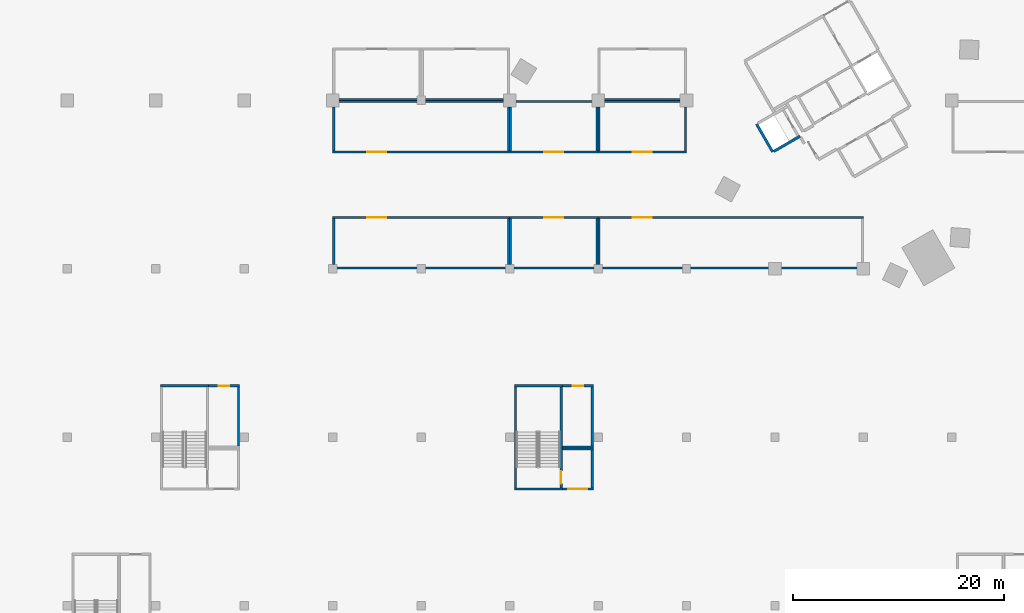
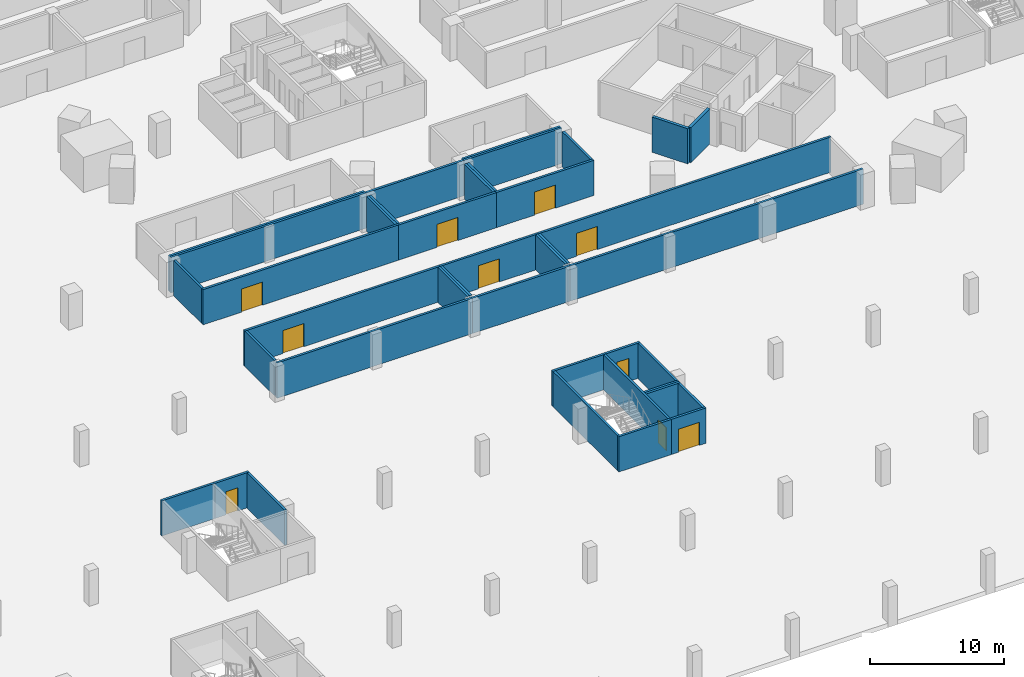
# One storey, part 6 of 37: 41 walls, 10 doors, 10 openings.
"""IFC4 building model written with IfcOpenShell, lengths in metres."""

from ifc_helpers import new_model, si_unit, direction, frame, frame_2d, origin, place, context, subcontext, project, spatial, rectangle, extrude, material, layer, layer_set, type_object, element, fill, save


model = new_model("IFC4")

# Units and contexts
model_context = context("Model", 3, precision=1e-05, world=origin(), true_north=direction((0.0, 1.0)))
body_context = subcontext(model_context, "Body", "Model", "MODEL_VIEW")
ifc_project = project(units=[si_unit("LENGTHUNIT", "METRE"), si_unit("AREAUNIT", "SQUARE_METRE"), si_unit("VOLUMEUNIT", "CUBIC_METRE"), si_unit("PLANEANGLEUNIT", "RADIAN"), si_unit("MASSUNIT", "GRAM", prefix="KILO")], contexts=[model_context])

# Site, building, storey
site_placement = place(None, origin())
site = spatial("IfcSite", under=ifc_project, at=site_placement, CompositionType="ELEMENT")
building_placement = place(site_placement, origin())
building = spatial("IfcBuilding", under=site, at=building_placement, Name="Tamra Quay Hotel Tower", CompositionType="ELEMENT")
storey_placement = place(building_placement, frame((0.0, 0.0, -7.199951171875)))
storey = spatial("IfcBuildingStorey", under=building, at=storey_placement, Name="B2", CompositionType="ELEMENT", Elevation=-7.199951171875)

# Wall
ifc_material_1 = material(Name="Blockwork", Category="masonry")
ifc_layer_1 = layer(ifc_material_1, 0.199951171875)
ifc_layer_set_1 = layer_set([ifc_layer_1], Name="Car park room wall 200")
wall_type_1 = type_object("IfcWallType", Name="Car park room wall 200", PredefinedType="PARTITIONING", material=ifc_layer_set_1)
wall_1_placement = place(storey_placement, frame((-38.699951171875, -31.89990234375, 0.0), z_axis=(0.0, 0.0, 1.0), x_axis=(1.0, 0.0, 0.0)))
element("IfcWall", 1, at=wall_1_placement, inside=storey, type_object=wall_type_1, Name="PW", PredefinedType="PARTITIONING", context=body_context, shape_type="SweptSolid", body=[
    extrude(rectangle(XDim=16.800048828125, YDim=0.199951171875, at=frame_2d((8.39990234375, 0.0))), origin(), (0.0, 0.0, 1.0), 3.199951171875),
])

# Wall, opening, door
wall_2_placement = place(storey_placement, frame((-38.699951171875, -27.10009765625, 0.0), z_axis=(0.0, 0.0, 1.0), x_axis=(1.0, 0.0, 0.0)))
wall_2 = element("IfcWall", 2, at=wall_2_placement, inside=storey, type_object=wall_type_1, Name="PW", PredefinedType="PARTITIONING", context=body_context, shape_type="SweptSolid", body=[
    extrude(rectangle(XDim=16.800048828125, YDim=0.199951171875, at=frame_2d((8.39990234375, 0.0))), origin(), (0.0, 0.0, 1.0), 3.199951171875),
])
opening_1_placement = place(wall_2_placement, frame((3.300048828125, 0.0, 0.0)))
opening_1 = element("IfcOpeningElement", 3, at=opening_1_placement, cuts=wall_2, Name="Opening PD2", PredefinedType="OPENING", context=body_context, shape_type="SweptSolid", body=[
    extrude(rectangle(XDim=1.800048828125, YDim=2.10009765625, at=frame_2d((0.89990234375, 1.050048828125))), frame((0.0, 0.10986328125, 0.0), z_axis=(0.0, -1.0, 0.0), x_axis=(1.0, 0.0, 0.0)), (0.0, 0.0, 1.0), 0.219970703125),
])
ifc_material_2 = material(Name="Plant door 1800 x 2100")
door_type_1 = type_object("IfcDoorType", Name="Plant door 1800 x 2100", OperationType="DOUBLE_DOOR_SINGLE_SWING", PredefinedType="DOOR", material=ifc_material_2)
door_1_placement = place(opening_1_placement, origin())
door_1 = element("IfcDoor", 4, at=door_1_placement, inside=storey, type_object=door_type_1, Name="PD2", OperationType="DOUBLE_DOOR_SINGLE_SWING", OverallHeight=2.10009765625, OverallWidth=1.800048828125, PredefinedType="DOOR", context=body_context, shape_type="SweptSolid", body=[
    extrude(rectangle(XDim=1.800048828125, YDim=2.10009765625, at=frame_2d((0.89990234375, 1.050048828125))), frame((0.0, 0.02490234375, 0.0), z_axis=(0.0, -1.0, 0.0), x_axis=(1.0, 0.0, 0.0)), (0.0, 0.0, 1.0), 0.050048828125),
])
fill(opening_1, door_1)

# Walls
for number, where, z_axis, x_axis, name in (
    (5, (-38.60009765625, -31.60009765625, 0.0), (0.0, 0.0, 1.0), (0.0, 1.0, 0.0), "PW"),
    (6, (-22.0, -31.60009765625, 0.0), (0.0, 0.0, 1.0), (0.0, 1.0, 0.0), "PW"),
):
    element("IfcWall", number, at=place(storey_placement, frame(where, z_axis=z_axis, x_axis=x_axis)), inside=storey, type_object=wall_type_1, Name=name, PredefinedType="PARTITIONING", context=body_context, shape_type="SweptSolid", body=[
        extrude(rectangle(XDim=4.400146484375, YDim=0.199951171875, at=frame_2d((2.2001953125, 0.0))), origin(), (0.0, 0.0, 1.0), 3.199951171875),
    ])
wall_3_placement = place(storey_placement, frame((-21.89990234375, -31.89990234375, 0.0), z_axis=(0.0, 0.0, 1.0), x_axis=(1.0, 0.0, 0.0)))
element("IfcWall", 7, at=wall_3_placement, inside=storey, type_object=wall_type_1, Name="PW", PredefinedType="PARTITIONING", context=body_context, shape_type="SweptSolid", body=[
    extrude(rectangle(XDim=8.39990234375, YDim=0.199951171875, at=frame_2d((4.199951171875, 0.0))), origin(), (0.0, 0.0, 1.0), 3.199951171875),
])

# Wall, opening, door
wall_4_placement = place(storey_placement, frame((-21.89990234375, -27.10009765625, 0.0), z_axis=(0.0, 0.0, 1.0), x_axis=(1.0, 0.0, 0.0)))
wall_4 = element("IfcWall", 8, at=wall_4_placement, inside=storey, type_object=wall_type_1, Name="PW", PredefinedType="PARTITIONING", context=body_context, shape_type="SweptSolid", body=[
    extrude(rectangle(XDim=8.39990234375, YDim=0.199951171875, at=frame_2d((4.199951171875, 0.0))), origin(), (0.0, 0.0, 1.0), 3.199951171875),
])
opening_2_placement = place(wall_4_placement, frame((3.300048828125, 0.0, 0.0)))
opening_2 = element("IfcOpeningElement", 9, at=opening_2_placement, cuts=wall_4, Name="Opening PD2", PredefinedType="OPENING", context=body_context, shape_type="SweptSolid", body=[
    extrude(rectangle(XDim=1.800048828125, YDim=2.10009765625, at=frame_2d((0.89990234375, 1.050048828125))), frame((0.0, 0.10986328125, 0.0), z_axis=(0.0, -1.0, 0.0), x_axis=(1.0, 0.0, 0.0)), (0.0, 0.0, 1.0), 0.219970703125),
])
door_2_placement = place(opening_2_placement, origin())
door_2 = element("IfcDoor", 10, at=door_2_placement, inside=storey, type_object=door_type_1, Name="PD2", OperationType="DOUBLE_DOOR_SINGLE_SWING", OverallHeight=2.10009765625, OverallWidth=1.800048828125, PredefinedType="DOOR", context=body_context, shape_type="SweptSolid", body=[
    extrude(rectangle(XDim=1.800048828125, YDim=2.10009765625, at=frame_2d((0.89990234375, 1.050048828125))), frame((0.0, 0.02490234375, 0.0), z_axis=(0.0, -1.0, 0.0), x_axis=(1.0, 0.0, 0.0)), (0.0, 0.0, 1.0), 0.050048828125),
])
fill(opening_2, door_2)

# Walls
for number, where, z_axis, x_axis, name in (
    (11, (-21.800048828125, -31.60009765625, 0.0), (0.0, 0.0, 1.0), (0.0, 1.0, 0.0), "PW"),
    (12, (-13.60009765625, -31.60009765625, 0.0), (0.0, 0.0, 1.0), (0.0, 1.0, 0.0), "PW"),
):
    element("IfcWall", number, at=place(storey_placement, frame(where, z_axis=z_axis, x_axis=x_axis)), inside=storey, type_object=wall_type_1, Name=name, PredefinedType="PARTITIONING", context=body_context, shape_type="SweptSolid", body=[
        extrude(rectangle(XDim=4.400146484375, YDim=0.199951171875, at=frame_2d((2.2001953125, 0.0))), origin(), (0.0, 0.0, 1.0), 3.199951171875),
    ])
wall_5_placement = place(storey_placement, frame((-13.5, -31.89990234375, 0.0), z_axis=(0.0, 0.0, 1.0), x_axis=(1.0, 0.0, 0.0)))
element("IfcWall", 13, at=wall_5_placement, inside=storey, type_object=wall_type_1, Name="PW", PredefinedType="PARTITIONING", context=body_context, shape_type="SweptSolid", body=[
    extrude(rectangle(XDim=25.199951171875, YDim=0.199951171875, at=frame_2d((12.60009765625, 0.0))), origin(), (0.0, 0.0, 1.0), 3.199951171875),
])

# Wall, opening, door
wall_6_placement = place(storey_placement, frame((-13.5, -27.10009765625, 0.0), z_axis=(0.0, 0.0, 1.0), x_axis=(1.0, 0.0, 0.0)))
wall_6 = element("IfcWall", 14, at=wall_6_placement, inside=storey, type_object=wall_type_1, Name="PW", PredefinedType="PARTITIONING", context=body_context, shape_type="SweptSolid", body=[
    extrude(rectangle(XDim=25.199951171875, YDim=0.199951171875, at=frame_2d((12.60009765625, 0.0))), origin(), (0.0, 0.0, 1.0), 3.199951171875),
])
opening_3_placement = place(wall_6_placement, frame((3.300048828125, 0.0, 0.0)))
opening_3 = element("IfcOpeningElement", 15, at=opening_3_placement, cuts=wall_6, Name="Opening PD2", PredefinedType="OPENING", context=body_context, shape_type="SweptSolid", body=[
    extrude(rectangle(XDim=1.800048828125, YDim=2.10009765625, at=frame_2d((0.89990234375, 1.050048828125))), frame((0.0, 0.10986328125, 0.0), z_axis=(0.0, -1.0, 0.0), x_axis=(1.0, 0.0, 0.0)), (0.0, 0.0, 1.0), 0.219970703125),
])
door_3_placement = place(opening_3_placement, origin())
door_3 = element("IfcDoor", 16, at=door_3_placement, inside=storey, type_object=door_type_1, Name="PD2", OperationType="DOUBLE_DOOR_SINGLE_SWING", OverallHeight=2.10009765625, OverallWidth=1.800048828125, PredefinedType="DOOR", context=body_context, shape_type="SweptSolid", body=[
    extrude(rectangle(XDim=1.800048828125, YDim=2.10009765625, at=frame_2d((0.89990234375, 1.050048828125))), frame((0.0, 0.02490234375, 0.0), z_axis=(0.0, -1.0, 0.0), x_axis=(1.0, 0.0, 0.0)), (0.0, 0.0, 1.0), 0.050048828125),
])
fill(opening_3, door_3)

# Wall
wall_7_placement = place(storey_placement, frame((-13.39990234375, -31.60009765625, 0.0), z_axis=(0.0, 0.0, 1.0), x_axis=(0.0, 1.0, 0.0)))
element("IfcWall", 17, at=wall_7_placement, inside=storey, type_object=wall_type_1, Name="PW", PredefinedType="PARTITIONING", context=body_context, shape_type="SweptSolid", body=[
    extrude(rectangle(XDim=4.400146484375, YDim=0.199951171875, at=frame_2d((2.2001953125, 0.0))), origin(), (0.0, 0.0, 1.0), 3.199951171875),
])

# Wall, opening, door
wall_8_placement = place(storey_placement, frame((-38.699951171875, -20.89990234375, 0.0), z_axis=(0.0, 0.0, 1.0), x_axis=(1.0, 0.0, 0.0)))
wall_8 = element("IfcWall", 18, at=wall_8_placement, inside=storey, type_object=wall_type_1, Name="PW", PredefinedType="PARTITIONING", context=body_context, shape_type="SweptSolid", body=[
    extrude(rectangle(XDim=16.800048828125, YDim=0.199951171875, at=frame_2d((8.39990234375, 0.0))), origin(), (0.0, 0.0, 1.0), 3.199951171875),
])
opening_4_placement = place(wall_8_placement, frame((3.300048828125, 0.0, 0.0)))
opening_4 = element("IfcOpeningElement", 19, at=opening_4_placement, cuts=wall_8, Name="Opening PD2", PredefinedType="OPENING", context=body_context, shape_type="SweptSolid", body=[
    extrude(rectangle(XDim=1.800048828125, YDim=2.10009765625, at=frame_2d((0.89990234375, 1.050048828125))), frame((0.0, 0.10986328125, 0.0), z_axis=(0.0, -1.0, 0.0), x_axis=(1.0, 0.0, 0.0)), (0.0, 0.0, 1.0), 0.219970703125),
])
door_4_placement = place(opening_4_placement, origin())
door_4 = element("IfcDoor", 20, at=door_4_placement, inside=storey, type_object=door_type_1, Name="PD2", OperationType="DOUBLE_DOOR_SINGLE_SWING", OverallHeight=2.10009765625, OverallWidth=1.800048828125, PredefinedType="DOOR", context=body_context, shape_type="SweptSolid", body=[
    extrude(rectangle(XDim=1.800048828125, YDim=2.10009765625, at=frame_2d((0.89990234375, 1.050048828125))), frame((0.0, 0.02490234375, 0.0), z_axis=(0.0, -1.0, 0.0), x_axis=(1.0, 0.0, 0.0)), (0.0, 0.0, 1.0), 0.050048828125),
])
fill(opening_4, door_4)

# Walls
wall_9_placement = place(storey_placement, frame((-38.699951171875, -16.10009765625, 0.0), z_axis=(0.0, 0.0, 1.0), x_axis=(1.0, 0.0, 0.0)))
element("IfcWall", 21, at=wall_9_placement, inside=storey, type_object=wall_type_1, Name="PW", PredefinedType="PARTITIONING", context=body_context, shape_type="SweptSolid", body=[
    extrude(rectangle(XDim=16.800048828125, YDim=0.199951171875, at=frame_2d((8.39990234375, 0.0))), origin(), (0.0, 0.0, 1.0), 3.199951171875),
])
for number, where, z_axis, x_axis, name in (
    (22, (-38.60009765625, -20.800048828125, 0.0), (0.0, 0.0, 1.0), (0.0, 1.0, 0.0), "PW"),
    (23, (-22.0, -20.800048828125, 0.0), (0.0, 0.0, 1.0), (0.0, 1.0, 0.0), "PW"),
):
    element("IfcWall", number, at=place(storey_placement, frame(where, z_axis=z_axis, x_axis=x_axis)), inside=storey, type_object=wall_type_1, Name=name, PredefinedType="PARTITIONING", context=body_context, shape_type="SweptSolid", body=[
        extrude(rectangle(XDim=4.199951171875, YDim=0.199951171875, at=frame_2d((2.10009765625, 0.0))), origin(), (0.0, 0.0, 1.0), 3.199951171875),
    ])

# Wall, opening, door
wall_10_placement = place(storey_placement, frame((-21.89990234375, -20.89990234375, 0.0), z_axis=(0.0, 0.0, 1.0), x_axis=(1.0, 0.0, 0.0)))
wall_10 = element("IfcWall", 24, at=wall_10_placement, inside=storey, type_object=wall_type_1, Name="PW", PredefinedType="PARTITIONING", context=body_context, shape_type="SweptSolid", body=[
    extrude(rectangle(XDim=8.39990234375, YDim=0.199951171875, at=frame_2d((4.199951171875, 0.0))), origin(), (0.0, 0.0, 1.0), 3.199951171875),
])
opening_5_placement = place(wall_10_placement, frame((3.300048828125, 0.0, 0.0)))
opening_5 = element("IfcOpeningElement", 25, at=opening_5_placement, cuts=wall_10, Name="Opening PD2", PredefinedType="OPENING", context=body_context, shape_type="SweptSolid", body=[
    extrude(rectangle(XDim=1.800048828125, YDim=2.10009765625, at=frame_2d((0.89990234375, 1.050048828125))), frame((0.0, 0.10986328125, 0.0), z_axis=(0.0, -1.0, 0.0), x_axis=(1.0, 0.0, 0.0)), (0.0, 0.0, 1.0), 0.219970703125),
])
door_5_placement = place(opening_5_placement, origin())
door_5 = element("IfcDoor", 26, at=door_5_placement, inside=storey, type_object=door_type_1, Name="PD2", OperationType="DOUBLE_DOOR_SINGLE_SWING", OverallHeight=2.10009765625, OverallWidth=1.800048828125, PredefinedType="DOOR", context=body_context, shape_type="SweptSolid", body=[
    extrude(rectangle(XDim=1.800048828125, YDim=2.10009765625, at=frame_2d((0.89990234375, 1.050048828125))), frame((0.0, 0.02490234375, 0.0), z_axis=(0.0, -1.0, 0.0), x_axis=(1.0, 0.0, 0.0)), (0.0, 0.0, 1.0), 0.050048828125),
])
fill(opening_5, door_5)

# Walls
wall_11_placement = place(storey_placement, frame((-21.89990234375, -16.10009765625, 0.0), z_axis=(0.0, 0.0, 1.0), x_axis=(1.0, 0.0, 0.0)))
element("IfcWall", 27, at=wall_11_placement, inside=storey, type_object=wall_type_1, Name="PW", PredefinedType="PARTITIONING", context=body_context, shape_type="SweptSolid", body=[
    extrude(rectangle(XDim=8.39990234375, YDim=0.199951171875, at=frame_2d((4.199951171875, 0.0))), origin(), (0.0, 0.0, 1.0), 3.199951171875),
])
for number, where, z_axis, x_axis, name in (
    (28, (-21.800048828125, -20.800048828125, 0.0), (0.0, 0.0, 1.0), (0.0, 1.0, 0.0), "PW"),
    (29, (-13.60009765625, -20.800048828125, 0.0), (0.0, 0.0, 1.0), (0.0, 1.0, 0.0), "PW"),
):
    element("IfcWall", number, at=place(storey_placement, frame(where, z_axis=z_axis, x_axis=x_axis)), inside=storey, type_object=wall_type_1, Name=name, PredefinedType="PARTITIONING", context=body_context, shape_type="SweptSolid", body=[
        extrude(rectangle(XDim=4.199951171875, YDim=0.199951171875, at=frame_2d((2.10009765625, 0.0))), origin(), (0.0, 0.0, 1.0), 3.199951171875),
    ])

# Wall, opening, door
wall_12_placement = place(storey_placement, frame((-13.5, -20.89990234375, 0.0), z_axis=(0.0, 0.0, 1.0), x_axis=(1.0, 0.0, 0.0)))
wall_12 = element("IfcWall", 30, at=wall_12_placement, inside=storey, type_object=wall_type_1, Name="PW", PredefinedType="PARTITIONING", context=body_context, shape_type="SweptSolid", body=[
    extrude(rectangle(XDim=8.39990234375, YDim=0.199951171875, at=frame_2d((4.199951171875, 0.0))), origin(), (0.0, 0.0, 1.0), 3.199951171875),
])
opening_6_placement = place(wall_12_placement, frame((3.300048828125, 0.0, 0.0)))
opening_6 = element("IfcOpeningElement", 31, at=opening_6_placement, cuts=wall_12, Name="Opening PD2", PredefinedType="OPENING", context=body_context, shape_type="SweptSolid", body=[
    extrude(rectangle(XDim=1.800048828125, YDim=2.10009765625, at=frame_2d((0.89990234375, 1.050048828125))), frame((0.0, 0.10986328125, 0.0), z_axis=(0.0, -1.0, 0.0), x_axis=(1.0, 0.0, 0.0)), (0.0, 0.0, 1.0), 0.219970703125),
])
door_6_placement = place(opening_6_placement, origin())
door_6 = element("IfcDoor", 32, at=door_6_placement, inside=storey, type_object=door_type_1, Name="PD2", OperationType="DOUBLE_DOOR_SINGLE_SWING", OverallHeight=2.10009765625, OverallWidth=1.800048828125, PredefinedType="DOOR", context=body_context, shape_type="SweptSolid", body=[
    extrude(rectangle(XDim=1.800048828125, YDim=2.10009765625, at=frame_2d((0.89990234375, 1.050048828125))), frame((0.0, 0.02490234375, 0.0), z_axis=(0.0, -1.0, 0.0), x_axis=(1.0, 0.0, 0.0)), (0.0, 0.0, 1.0), 0.050048828125),
])
fill(opening_6, door_6)

# Walls
wall_13_placement = place(storey_placement, frame((-13.5, -16.10009765625, 0.0), z_axis=(0.0, 0.0, 1.0), x_axis=(1.0, 0.0, 0.0)))
element("IfcWall", 33, at=wall_13_placement, inside=storey, type_object=wall_type_1, Name="PW", PredefinedType="PARTITIONING", context=body_context, shape_type="SweptSolid", body=[
    extrude(rectangle(XDim=8.39990234375, YDim=0.199951171875, at=frame_2d((4.199951171875, 0.0))), origin(), (0.0, 0.0, 1.0), 3.199951171875),
])
for number, where, z_axis, x_axis, name in (
    (34, (-13.39990234375, -20.800048828125, 0.0), (0.0, 0.0, 1.0), (0.0, 1.0, 0.0), "PW"),
    (35, (-5.199951171875, -20.800048828125, 0.0), (0.0, 0.0, 1.0), (0.0, 1.0, 0.0), "PW"),
):
    element("IfcWall", number, at=place(storey_placement, frame(where, z_axis=z_axis, x_axis=x_axis)), inside=storey, type_object=wall_type_1, Name=name, PredefinedType="PARTITIONING", context=body_context, shape_type="SweptSolid", body=[
        extrude(rectangle(XDim=4.199951171875, YDim=0.199951171875, at=frame_2d((2.10009765625, 0.0))), origin(), (0.0, 0.0, 1.0), 3.199951171875),
    ])
wall_14_placement = place(storey_placement, frame((-38.699951171875, -15.89990234375, 0.0), z_axis=(0.0, 0.0, 1.0), x_axis=(1.0, 0.0, 0.0)))
element("IfcWall", 36, at=wall_14_placement, inside=storey, type_object=wall_type_1, Name="PW", PredefinedType="PARTITIONING", context=body_context, shape_type="SweptSolid", body=[
    extrude(rectangle(XDim=8.39990234375, YDim=0.199951171875, at=frame_2d((4.199951171875, 0.0))), origin(), (0.0, 0.0, 1.0), 3.199951171875),
])
wall_15_placement = place(storey_placement, frame((-30.300048828125, -15.89990234375, 0.0), z_axis=(0.0, 0.0, 1.0), x_axis=(1.0, 0.0, 0.0)))
element("IfcWall", 37, at=wall_15_placement, inside=storey, type_object=wall_type_1, Name="PW", PredefinedType="PARTITIONING", context=body_context, shape_type="SweptSolid", body=[
    extrude(rectangle(XDim=8.400146484375, YDim=0.199951171875, at=frame_2d((4.2001953125, 0.0))), origin(), (0.0, 0.0, 1.0), 3.199951171875),
])
wall_16_placement = place(storey_placement, frame((-13.5, -15.89990234375, 0.0), z_axis=(0.0, 0.0, 1.0), x_axis=(1.0, 0.0, 0.0)))
element("IfcWall", 38, at=wall_16_placement, inside=storey, type_object=wall_type_1, Name="PW", PredefinedType="PARTITIONING", context=body_context, shape_type="SweptSolid", body=[
    extrude(rectangle(XDim=8.39990234375, YDim=0.199951171875, at=frame_2d((4.199951171875, 0.0))), origin(), (0.0, 0.0, 1.0), 3.199951171875),
])

# Wall, opening, door
wall_17_placement = place(storey_placement, frame((-50.5, -43.10009765625, 0.0), z_axis=(0.0, 0.0, 1.0), x_axis=(1.0, 0.0, 0.0)))
wall_17 = element("IfcWall", 39, at=wall_17_placement, inside=storey, type_object=wall_type_1, Name="PW", PredefinedType="PARTITIONING", context=body_context, shape_type="SweptSolid", body=[
    extrude(rectangle(XDim=2.949951171875, YDim=0.199951171875, at=frame_2d((1.47509765625, 0.0))), origin(), (0.0, 0.0, 1.0), 3.199951171875),
])
opening_7_placement = place(wall_17_placement, frame((0.97509765625, 0.0, 0.0)))
opening_7 = element("IfcOpeningElement", 40, at=opening_7_placement, cuts=wall_17, Name="Opening PD1", PredefinedType="OPENING", context=body_context, shape_type="SweptSolid", body=[
    extrude(rectangle(XDim=1.0, YDim=2.10009765625, at=frame_2d((0.5, 1.050048828125))), frame((0.0, 0.10986328125, 0.0), z_axis=(0.0, -1.0, 0.0), x_axis=(1.0, 0.0, 0.0)), (0.0, 0.0, 1.0), 0.219970703125),
])
ifc_material_3 = material(Name="Car park door 1000 x 2100")
door_type_2 = type_object("IfcDoorType", Name="Car park door 1000 x 2100", OperationType="NOTDEFINED", PredefinedType="DOOR", material=ifc_material_3)
door_7_placement = place(opening_7_placement, origin())
door_7 = element("IfcDoor", 41, at=door_7_placement, inside=storey, type_object=door_type_2, Name="PD1", OperationType="SINGLE_SWING_LEFT", OverallHeight=2.10009765625, OverallWidth=1.0, PredefinedType="DOOR", context=body_context, shape_type="SweptSolid", body=[
    extrude(rectangle(XDim=1.0, YDim=2.10009765625, at=frame_2d((0.5, 1.050048828125))), frame((0.0, 0.02490234375, 0.0), z_axis=(0.0, -1.0, 0.0), x_axis=(1.0, 0.0, 0.0)), (0.0, 0.0, 1.0), 0.050048828125),
])
fill(opening_7, door_7)

# Wall
wall_18_placement = place(storey_placement, frame((-47.64990234375, -48.800048828125, 0.0), z_axis=(0.0, 0.0, 1.0), x_axis=(0.0, 1.0, 0.0)))
element("IfcWall", 42, at=wall_18_placement, inside=storey, type_object=wall_type_1, Name="PW", PredefinedType="PARTITIONING", context=body_context, shape_type="SweptSolid", body=[
    extrude(rectangle(XDim=5.60009765625, YDim=0.199951171875, at=frame_2d((2.800048828125, 0.0))), origin(), (0.0, 0.0, 1.0), 3.199951171875),
])

# Wall, opening, door
wall_19_placement = place(storey_placement, frame((-16.89990234375, -52.89990234375, 0.0), z_axis=(0.0, 0.0, 1.0), x_axis=(1.0, 0.0, 0.0)))
wall_19 = element("IfcWall", 43, at=wall_19_placement, inside=storey, type_object=wall_type_1, Name="PW", PredefinedType="PARTITIONING", context=body_context, shape_type="SweptSolid", body=[
    extrude(rectangle(XDim=2.949951171875, YDim=0.199951171875, at=frame_2d((1.47509765625, 0.0))), origin(), (0.0, 0.0, 1.0), 3.199951171875),
])
opening_8_placement = place(wall_19_placement, frame((0.574951171875, 0.0, 0.0)))
opening_8 = element("IfcOpeningElement", 44, at=opening_8_placement, cuts=wall_19, Name="Opening PD2", PredefinedType="OPENING", context=body_context, shape_type="SweptSolid", body=[
    extrude(rectangle(XDim=1.800048828125, YDim=2.10009765625, at=frame_2d((0.89990234375, 1.050048828125))), frame((0.0, 0.10986328125, 0.0), z_axis=(0.0, -1.0, 0.0), x_axis=(1.0, 0.0, 0.0)), (0.0, 0.0, 1.0), 0.219970703125),
])
door_8_placement = place(opening_8_placement, origin())
door_8 = element("IfcDoor", 45, at=door_8_placement, inside=storey, type_object=door_type_1, Name="PD2", OperationType="DOUBLE_DOOR_SINGLE_SWING", OverallHeight=2.10009765625, OverallWidth=1.800048828125, PredefinedType="DOOR", context=body_context, shape_type="SweptSolid", body=[
    extrude(rectangle(XDim=1.800048828125, YDim=2.10009765625, at=frame_2d((0.89990234375, 1.050048828125))), frame((0.0, 0.02490234375, 0.0), z_axis=(0.0, -1.0, 0.0), x_axis=(1.0, 0.0, 0.0)), (0.0, 0.0, 1.0), 0.050048828125),
])
fill(opening_8, door_8)

# Walls
wall_20_placement = place(storey_placement, frame((-16.89990234375, -49.10009765625, 0.0), z_axis=(0.0, 0.0, 1.0), x_axis=(1.0, 0.0, 0.0)))
element("IfcWall", 46, at=wall_20_placement, inside=storey, type_object=wall_type_1, Name="PW", PredefinedType="PARTITIONING", context=body_context, shape_type="SweptSolid", body=[
    extrude(rectangle(XDim=2.949951171875, YDim=0.199951171875, at=frame_2d((1.47509765625, 0.0))), origin(), (0.0, 0.0, 1.0), 3.199951171875),
])
wall_21_placement = place(storey_placement, frame((-14.050048828125, -52.800048828125, 0.0), z_axis=(0.0, 0.0, 1.0), x_axis=(0.0, 1.0, 0.0)))
element("IfcWall", 47, at=wall_21_placement, inside=storey, type_object=wall_type_1, Name="PW", PredefinedType="PARTITIONING", context=body_context, shape_type="SweptSolid", body=[
    extrude(rectangle(XDim=3.60009765625, YDim=0.199951171875, at=frame_2d((1.800048828125, 0.0))), origin(), (0.0, 0.0, 1.0), 3.199951171875),
])
wall_22_placement = place(storey_placement, frame((-16.89990234375, -48.89990234375, 0.0), z_axis=(0.0, 0.0, 1.0), x_axis=(1.0, 0.0, 0.0)))
element("IfcWall", 48, at=wall_22_placement, inside=storey, type_object=wall_type_1, Name="PW", PredefinedType="PARTITIONING", context=body_context, shape_type="SweptSolid", body=[
    extrude(rectangle(XDim=2.949951171875, YDim=0.199951171875, at=frame_2d((1.47509765625, 0.0))), origin(), (0.0, 0.0, 1.0), 3.199951171875),
])

# Wall, opening, door
wall_23_placement = place(storey_placement, frame((-16.89990234375, -43.10009765625, 0.0), z_axis=(0.0, 0.0, 1.0), x_axis=(1.0, 0.0, 0.0)))
wall_23 = element("IfcWall", 49, at=wall_23_placement, inside=storey, type_object=wall_type_1, Name="PW", PredefinedType="PARTITIONING", context=body_context, shape_type="SweptSolid", body=[
    extrude(rectangle(XDim=2.949951171875, YDim=0.199951171875, at=frame_2d((1.47509765625, 0.0))), origin(), (0.0, 0.0, 1.0), 3.199951171875),
])
opening_9_placement = place(wall_23_placement, frame((0.97509765625, 0.0, 0.0)))
opening_9 = element("IfcOpeningElement", 50, at=opening_9_placement, cuts=wall_23, Name="Opening PD1", PredefinedType="OPENING", context=body_context, shape_type="SweptSolid", body=[
    extrude(rectangle(XDim=1.0, YDim=2.10009765625, at=frame_2d((0.5, 1.050048828125))), frame((0.0, 0.10986328125, 0.0), z_axis=(0.0, -1.0, 0.0), x_axis=(1.0, 0.0, 0.0)), (0.0, 0.0, 1.0), 0.219970703125),
])
door_9_placement = place(opening_9_placement, origin())
door_9 = element("IfcDoor", 51, at=door_9_placement, inside=storey, type_object=door_type_2, Name="PD1", OperationType="SINGLE_SWING_LEFT", OverallHeight=2.10009765625, OverallWidth=1.0, PredefinedType="DOOR", context=body_context, shape_type="SweptSolid", body=[
    extrude(rectangle(XDim=1.0, YDim=2.10009765625, at=frame_2d((0.5, 1.050048828125))), frame((0.0, 0.02490234375, 0.0), z_axis=(0.0, -1.0, 0.0), x_axis=(1.0, 0.0, 0.0)), (0.0, 0.0, 1.0), 0.050048828125),
])
fill(opening_9, door_9)

# Walls
wall_24_placement = place(storey_placement, frame((-14.050048828125, -48.800048828125, 0.0), z_axis=(0.0, 0.0, 1.0), x_axis=(0.0, 1.0, 0.0)))
element("IfcWall", 52, at=wall_24_placement, inside=storey, type_object=wall_type_1, Name="PW", PredefinedType="PARTITIONING", context=body_context, shape_type="SweptSolid", body=[
    extrude(rectangle(XDim=5.60009765625, YDim=0.199951171875, at=frame_2d((2.800048828125, 0.0))), origin(), (0.0, 0.0, 1.0), 3.199951171875),
])
ifc_material_4 = material(Name="Concrete M70", Category="concrete")
ifc_layer_2 = layer(ifc_material_4, 0.25)
ifc_layer_set_2 = layer_set([ifc_layer_2], Name="Concrete M70 core wall 250")
wall_type_2 = type_object("IfcWallType", Name="Concrete M70 core wall 250", PredefinedType="SHEAR", material=ifc_layer_set_2)
wall_25_placement = place(storey_placement, frame((3.085205078125, -20.893798828125, 0.0), z_axis=(0.0, 0.0, 1.0), x_axis=(-0.499978833458, 0.866037623948, 0.0)))
element("IfcWall", 53, at=wall_25_placement, inside=storey, type_object=wall_type_2, Name="CW1", PredefinedType="SHEAR", context=body_context, shape_type="SweptSolid", body=[
    extrude(rectangle(XDim=3.050048828125, YDim=0.25, at=frame_2d((1.52490234375, 0.0))), origin(), (0.0, 0.0, 1.0), 3.199951171875),
])
wall_26_placement = place(storey_placement, frame((5.6748046875, -19.39892578125, 0.0), z_axis=(0.0, 0.0, 1.0), x_axis=(-0.866026637627, -0.499997862916, 0.0)))
element("IfcWall", 54, at=wall_26_placement, inside=storey, type_object=wall_type_2, Name="CW1", PredefinedType="SHEAR", context=body_context, shape_type="SweptSolid", body=[
    extrude(rectangle(XDim=2.86474609375, YDim=0.25, at=frame_2d((1.432373046875, 0.0))), origin(), (0.0, 0.0, 1.0), 3.199951171875),
])
ifc_layer_3 = layer(ifc_material_4, 0.199951171875)
ifc_layer_set_3 = layer_set([ifc_layer_3], Name="Concrete M70 stair enclosure wall 200")
wall_type_3 = type_object("IfcWallType", Name="Concrete M70 stair enclosure wall 200", PredefinedType="SOLIDWALL", material=ifc_layer_set_3)
wall_27_placement = place(storey_placement, frame((-55.050048828125, -43.10009765625, 0.0), z_axis=(0.0, 0.0, 1.0), x_axis=(1.0, 0.0, 0.0)))
element("IfcWall", 55, at=wall_27_placement, inside=storey, type_object=wall_type_3, Name="SEW", PredefinedType="SOLIDWALL", context=body_context, shape_type="SweptSolid", body=[
    extrude(rectangle(XDim=4.550048828125, YDim=0.199951171875, at=frame_2d((2.27490234375, 0.0))), origin(), (0.0, 0.0, 1.0), 3.199951171875),
])
wall_28_placement = place(storey_placement, frame((-21.35009765625, -52.800048828125, 0.0), z_axis=(0.0, 0.0, 1.0), x_axis=(0.0, 1.0, 0.0)))
element("IfcWall", 56, at=wall_28_placement, inside=storey, type_object=wall_type_3, Name="SEW", PredefinedType="SOLIDWALL", context=body_context, shape_type="SweptSolid", body=[
    extrude(rectangle(XDim=9.60009765625, YDim=0.199951171875, at=frame_2d((4.800048828125, 0.0))), origin(), (0.0, 0.0, 1.0), 3.199951171875),
])

# Wall, opening, door
wall_29_placement = place(storey_placement, frame((-17.0, -52.800048828125, 0.0), z_axis=(0.0, 0.0, 1.0), x_axis=(0.0, 1.0, 0.0)))
wall_29 = element("IfcWall", 57, at=wall_29_placement, inside=storey, type_object=wall_type_3, Name="SEW", PredefinedType="SOLIDWALL", context=body_context, shape_type="SweptSolid", body=[
    extrude(rectangle(XDim=9.60009765625, YDim=0.199951171875, at=frame_2d((4.800048828125, 0.0))), origin(), (0.0, 0.0, 1.0), 3.199951171875),
])
opening_10_placement = place(wall_29_placement, frame((0.39990234375, 0.0, 0.0)))
opening_10 = element("IfcOpeningElement", 58, at=opening_10_placement, cuts=wall_29, Name="Opening SD1", PredefinedType="OPENING", context=body_context, shape_type="SweptSolid", body=[
    extrude(rectangle(XDim=1.199951171875, YDim=2.10009765625, at=frame_2d((0.60009765625, 1.050048828125))), frame((0.0, 0.10986328125, 0.0), z_axis=(0.0, -1.0, 0.0), x_axis=(1.0, 0.0, 0.0)), (0.0, 0.0, 1.0), 0.219970703125),
])
ifc_material_5 = material(Name="Stair door 1200 x 2100")
door_type_3 = type_object("IfcDoorType", Name="Stair door 1200 x 2100", OperationType="NOTDEFINED", PredefinedType="DOOR", material=ifc_material_5)
door_10_placement = place(opening_10_placement, origin())
door_10 = element("IfcDoor", 59, at=door_10_placement, inside=storey, type_object=door_type_3, Name="SD1", OperationType="SINGLE_SWING_LEFT", OverallHeight=2.10009765625, OverallWidth=1.199951171875, PredefinedType="DOOR", context=body_context, shape_type="SweptSolid", body=[
    extrude(rectangle(XDim=1.199951171875, YDim=2.10009765625, at=frame_2d((0.60009765625, 1.050048828125))), frame((0.0, 0.02490234375, 0.0), z_axis=(0.0, -1.0, 0.0), x_axis=(1.0, 0.0, 0.0)), (0.0, 0.0, 1.0), 0.050048828125),
])
fill(opening_10, door_10)

# Walls
for number, where, z_axis, x_axis, name in (
    (60, (-16.89990234375, -52.89990234375, 0.0), (0.0, 0.0, 1.0), (-1.0, 0.0, 0.0), "SEW"),
    (61, (-21.449951171875, -43.10009765625, 0.0), (0.0, 0.0, 1.0), (1.0, 0.0, 0.0), "SEW"),
):
    element("IfcWall", number, at=place(storey_placement, frame(where, z_axis=z_axis, x_axis=x_axis)), inside=storey, type_object=wall_type_3, Name=name, PredefinedType="SOLIDWALL", context=body_context, shape_type="SweptSolid", body=[
        extrude(rectangle(XDim=4.550048828125, YDim=0.199951171875, at=frame_2d((2.27490234375, 0.0))), origin(), (0.0, 0.0, 1.0), 3.199951171875),
    ])

save(model, "model.ifc")
